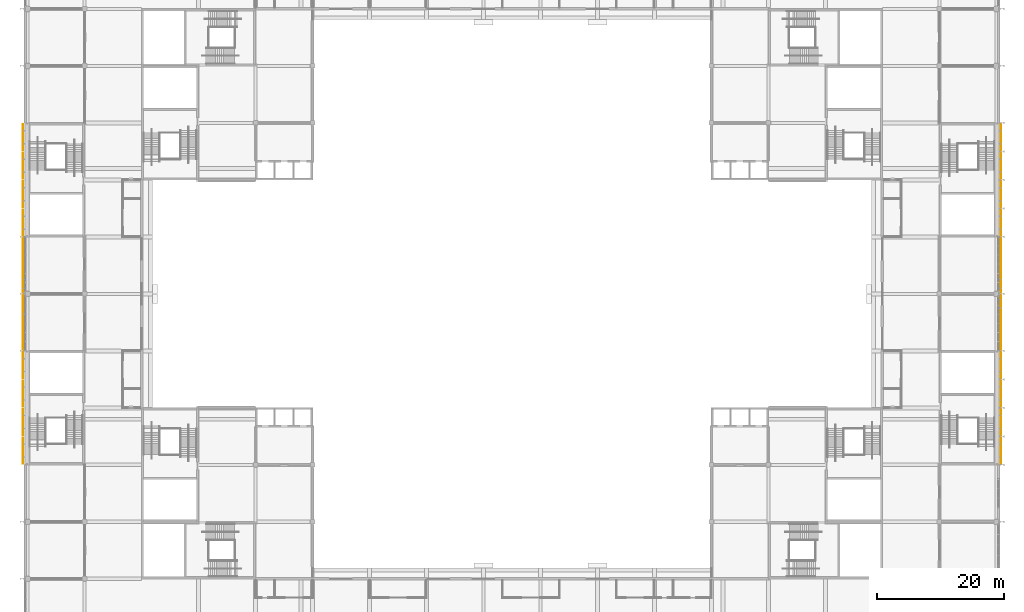
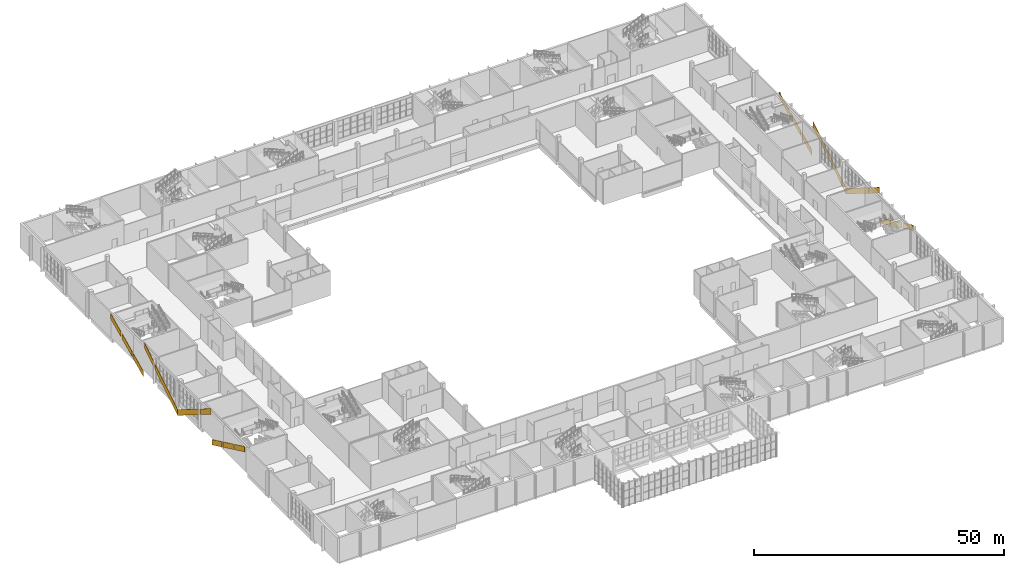
# One storey, part 89 of 89: 20 coverings.
"""IFC4 building model written with IfcOpenShell, lengths in metres."""

from ifc_helpers import new_model, si_unit, direction, frame, origin, place, context, subcontext, project, spatial, faceted_brep, material, layer, layer_set, type_object, element, save


model = new_model("IFC4")

# Units and contexts
model_context = context("Model", 3, precision=1e-05, world=origin(), true_north=direction((0.0, 1.0)))
body_context = subcontext(model_context, "Body", "Model", "MODEL_VIEW")
ifc_project = project(units=[si_unit("LENGTHUNIT", "METRE"), si_unit("AREAUNIT", "SQUARE_METRE"), si_unit("VOLUMEUNIT", "CUBIC_METRE"), si_unit("PLANEANGLEUNIT", "RADIAN"), si_unit("MASSUNIT", "GRAM", prefix="KILO")], contexts=[model_context])

# Site, building, storey
site_placement = place(None, origin())
site = spatial("IfcSite", under=ifc_project, at=site_placement, CompositionType="ELEMENT")
building_placement = place(site_placement, origin())
building = spatial("IfcBuilding", under=site, at=building_placement, Name="Silverbay Arena", CompositionType="ELEMENT")
storey_placement = place(building_placement, frame((0.0, 0.0, 22.0)))
storey = spatial("IfcBuildingStorey", under=building, at=storey_placement, Name="L03", CompositionType="ELEMENT", Elevation=22.0)

# Coverings
ifc_material = material(Name="Stainless steel grade 316, brushed", Category="steel")
ifc_layer = layer(ifc_material, 0.06005859375)
ifc_layer_set = layer_set([ifc_layer], Name="Stainless steel grade 316, brushed")
covering_type = type_object("IfcCoveringType", Name="Stainless rainscreen band panel 60", PredefinedType="CLADDING", material=ifc_layer_set)
covering_1_placement = place(storey_placement, origin())
element("IfcCovering", 1, at=covering_1_placement, inside=storey, type_object=covering_type, Name="West raked band panel lower 3", PredefinedType="CLADDING", context=body_context, shape_type="Brep", body=[
    faceted_brep([(53.320068359375, 54.199951171875, 4.929931640625), (53.320068359375, 58.300048828125, 2.982421875), (53.320068359375, 58.300048828125, 4.31103515625), (53.320068359375, 54.199951171875, 6.258544921875), (53.260009765625, 54.199951171875, 6.258544921875), (53.260009765625, 58.300048828125, 4.31103515625), (53.260009765625, 58.300048828125, 2.982421875), (53.260009765625, 54.199951171875, 4.929931640625)], [[[0, 1, 2, 3]], [[4, 5, 6, 7]], [[7, 6, 1, 0]], [[6, 5, 2, 1]], [[5, 4, 3, 2]], [[4, 7, 0, 3]]]),
])
covering_2_placement = place(storey_placement, origin())
element("IfcCovering", 2, at=covering_2_placement, inside=storey, type_object=covering_type, Name="West raked band panel lower 4", PredefinedType="CLADDING", context=body_context, shape_type="Brep", body=[
    faceted_brep([(53.320068359375, 58.699951171875, 2.79248046875), (53.320068359375, 62.800048828125, 0.844970703125), (53.320068359375, 62.800048828125, 2.173583984375), (53.320068359375, 58.699951171875, 4.12109375), (53.260009765625, 58.699951171875, 4.12109375), (53.260009765625, 62.800048828125, 2.173583984375), (53.260009765625, 62.800048828125, 0.844970703125), (53.260009765625, 58.699951171875, 2.79248046875)], [[[0, 1, 2, 3]], [[4, 5, 6, 7]], [[7, 6, 1, 0]], [[6, 5, 2, 1]], [[5, 4, 3, 2]], [[4, 7, 0, 3]]]),
])
covering_3_placement = place(storey_placement, origin())
element("IfcCovering", 3, at=covering_3_placement, inside=storey, type_object=covering_type, Name="West raked band panel lower 5", PredefinedType="CLADDING", context=body_context, shape_type="Brep", body=[
    faceted_brep([(53.320068359375, 63.199951171875, 0.655029296875), (53.320068359375, 67.300048828125, -1.29248046875), (53.320068359375, 67.300048828125, 0.035888671875), (53.320068359375, 63.199951171875, 1.9833984375), (53.260009765625, 63.199951171875, 1.9833984375), (53.260009765625, 67.300048828125, 0.035888671875), (53.260009765625, 67.300048828125, -1.29248046875), (53.260009765625, 63.199951171875, 0.655029296875)], [[[0, 1, 2, 3]], [[4, 5, 6, 7]], [[7, 6, 1, 0]], [[6, 5, 2, 1]], [[5, 4, 3, 2]], [[4, 7, 0, 3]]]),
])
covering_4_placement = place(storey_placement, origin())
element("IfcCovering", 4, at=covering_4_placement, inside=storey, type_object=covering_type, Name="West raked band panel lower 12", PredefinedType="CLADDING", context=body_context, shape_type="Brep", body=[
    faceted_brep([(53.320068359375, 94.699951171875, -1.29248046875), (53.320068359375, 98.800048828125, 0.655029296875), (53.320068359375, 98.800048828125, 1.9833984375), (53.320068359375, 94.699951171875, 0.035888671875), (53.260009765625, 94.699951171875, 0.035888671875), (53.260009765625, 98.800048828125, 1.9833984375), (53.260009765625, 98.800048828125, 0.655029296875), (53.260009765625, 94.699951171875, -1.29248046875)], [[[0, 1, 2, 3]], [[4, 5, 6, 7]], [[7, 6, 1, 0]], [[6, 5, 2, 1]], [[5, 4, 3, 2]], [[4, 7, 0, 3]]]),
])
covering_5_placement = place(storey_placement, origin())
element("IfcCovering", 5, at=covering_5_placement, inside=storey, type_object=covering_type, Name="West raked band panel lower 13", PredefinedType="CLADDING", context=body_context, shape_type="Brep", body=[
    faceted_brep([(53.320068359375, 99.199951171875, 0.844970703125), (53.320068359375, 103.300048828125, 2.79248046875), (53.320068359375, 103.300048828125, 4.12109375), (53.320068359375, 99.199951171875, 2.173583984375), (53.260009765625, 99.199951171875, 2.173583984375), (53.260009765625, 103.300048828125, 4.12109375), (53.260009765625, 103.300048828125, 2.79248046875), (53.260009765625, 99.199951171875, 0.844970703125)], [[[0, 1, 2, 3]], [[4, 5, 6, 7]], [[7, 6, 1, 0]], [[6, 5, 2, 1]], [[5, 4, 3, 2]], [[4, 7, 0, 3]]]),
])
covering_6_placement = place(storey_placement, origin())
element("IfcCovering", 6, at=covering_6_placement, inside=storey, type_object=covering_type, Name="West raked band panel lower 14", PredefinedType="CLADDING", context=body_context, shape_type="Brep", body=[
    faceted_brep([(53.320068359375, 103.699951171875, 2.982421875), (53.320068359375, 107.800048828125, 4.929931640625), (53.320068359375, 107.800048828125, 6.258544921875), (53.320068359375, 103.699951171875, 4.31103515625), (53.260009765625, 103.699951171875, 4.31103515625), (53.260009765625, 107.800048828125, 6.258544921875), (53.260009765625, 107.800048828125, 4.929931640625), (53.260009765625, 103.699951171875, 2.982421875)], [[[0, 1, 2, 3]], [[4, 5, 6, 7]], [[7, 6, 1, 0]], [[6, 5, 2, 1]], [[5, 4, 3, 2]], [[4, 7, 0, 3]]]),
])
covering_7_placement = place(storey_placement, origin())
element("IfcCovering", 7, at=covering_7_placement, inside=storey, type_object=covering_type, Name="West raked band panel upper 3", PredefinedType="CLADDING", context=body_context, shape_type="Brep", body=[
    faceted_brep([(53.320068359375, 67.699951171875, 5.91259765625), (53.320068359375, 71.800048828125, 3.35009765625), (53.320068359375, 71.800048828125, 4.76513671875), (53.320068359375, 67.699951171875, 7.32763671875), (53.260009765625, 67.699951171875, 7.32763671875), (53.260009765625, 71.800048828125, 4.76513671875), (53.260009765625, 71.800048828125, 3.35009765625), (53.260009765625, 67.699951171875, 5.91259765625)], [[[0, 1, 2, 3]], [[4, 5, 6, 7]], [[7, 6, 1, 0]], [[6, 5, 2, 1]], [[5, 4, 3, 2]], [[4, 7, 0, 3]]]),
])
covering_8_placement = place(storey_placement, origin())
element("IfcCovering", 8, at=covering_8_placement, inside=storey, type_object=covering_type, Name="West raked band panel upper 4", PredefinedType="CLADDING", context=body_context, shape_type="Brep", body=[
    faceted_brep([(53.320068359375, 72.00537109375, 3.2216796875), (53.320068359375, 80.99462890625, -2.396728515625), (53.320068359375, 80.99462890625, -0.981689453125), (53.320068359375, 72.00537109375, 4.63671875), (53.260009765625, 72.00537109375, 4.63671875), (53.260009765625, 80.99462890625, -0.981689453125), (53.260009765625, 80.99462890625, -2.396728515625), (53.260009765625, 72.00537109375, 3.2216796875)], [[[0, 1, 2, 3]], [[4, 5, 6, 7]], [[7, 6, 1, 0]], [[6, 5, 2, 1]], [[5, 4, 3, 2]], [[4, 7, 0, 3]]]),
])
covering_9_placement = place(storey_placement, origin())
element("IfcCovering", 9, at=covering_9_placement, inside=storey, type_object=covering_type, Name="West raked band panel upper 6", PredefinedType="CLADDING", context=body_context, shape_type="Brep", body=[
    faceted_brep([(53.320068359375, 81.00537109375, -2.396728515625), (53.320068359375, 89.99462890625, 3.2216796875), (53.320068359375, 89.99462890625, 4.63671875), (53.320068359375, 81.00537109375, -0.981689453125), (53.260009765625, 81.00537109375, -0.981689453125), (53.260009765625, 89.99462890625, 4.63671875), (53.260009765625, 89.99462890625, 3.2216796875), (53.260009765625, 81.00537109375, -2.396728515625)], [[[0, 1, 2, 3]], [[4, 5, 6, 7]], [[7, 6, 1, 0]], [[6, 5, 2, 1]], [[5, 4, 3, 2]], [[4, 7, 0, 3]]]),
])
covering_10_placement = place(storey_placement, origin())
element("IfcCovering", 10, at=covering_10_placement, inside=storey, type_object=covering_type, Name="West raked band panel upper 8", PredefinedType="CLADDING", context=body_context, shape_type="Brep", body=[
    faceted_brep([(53.320068359375, 90.199951171875, 3.35009765625), (53.320068359375, 94.300048828125, 5.91259765625), (53.320068359375, 94.300048828125, 7.32763671875), (53.320068359375, 90.199951171875, 4.76513671875), (53.260009765625, 90.199951171875, 4.76513671875), (53.260009765625, 94.300048828125, 7.32763671875), (53.260009765625, 94.300048828125, 5.91259765625), (53.260009765625, 90.199951171875, 3.35009765625)], [[[0, 1, 2, 3]], [[4, 5, 6, 7]], [[7, 6, 1, 0]], [[6, 5, 2, 1]], [[5, 4, 3, 2]], [[4, 7, 0, 3]]]),
])
covering_11_placement = place(storey_placement, origin())
element("IfcCovering", 11, at=covering_11_placement, inside=storey, type_object=covering_type, Name="East raked band panel lower 3", PredefinedType="CLADDING", context=body_context, shape_type="Brep", body=[
    faceted_brep([(207.679931640625, 54.199951171875, 6.258544921875), (207.679931640625, 58.300048828125, 4.31103515625), (207.679931640625, 58.300048828125, 2.982421875), (207.679931640625, 54.199951171875, 4.929931640625), (207.739990234375, 54.199951171875, 4.929931640625), (207.739990234375, 58.300048828125, 2.982421875), (207.739990234375, 58.300048828125, 4.31103515625), (207.739990234375, 54.199951171875, 6.258544921875)], [[[0, 1, 2, 3]], [[4, 5, 6, 7]], [[3, 2, 5, 4]], [[2, 1, 6, 5]], [[1, 0, 7, 6]], [[0, 3, 4, 7]]]),
])
covering_12_placement = place(storey_placement, origin())
element("IfcCovering", 12, at=covering_12_placement, inside=storey, type_object=covering_type, Name="East raked band panel lower 4", PredefinedType="CLADDING", context=body_context, shape_type="Brep", body=[
    faceted_brep([(207.679931640625, 58.699951171875, 4.12109375), (207.679931640625, 62.800048828125, 2.173583984375), (207.679931640625, 62.800048828125, 0.844970703125), (207.679931640625, 58.699951171875, 2.79248046875), (207.739990234375, 58.699951171875, 2.79248046875), (207.739990234375, 62.800048828125, 0.844970703125), (207.739990234375, 62.800048828125, 2.173583984375), (207.739990234375, 58.699951171875, 4.12109375)], [[[0, 1, 2, 3]], [[4, 5, 6, 7]], [[3, 2, 5, 4]], [[2, 1, 6, 5]], [[1, 0, 7, 6]], [[0, 3, 4, 7]]]),
])
covering_13_placement = place(storey_placement, origin())
element("IfcCovering", 13, at=covering_13_placement, inside=storey, type_object=covering_type, Name="East raked band panel lower 5", PredefinedType="CLADDING", context=body_context, shape_type="Brep", body=[
    faceted_brep([(207.679931640625, 63.199951171875, 1.9833984375), (207.679931640625, 67.300048828125, 0.035888671875), (207.679931640625, 67.300048828125, -1.29248046875), (207.679931640625, 63.199951171875, 0.655029296875), (207.739990234375, 63.199951171875, 0.655029296875), (207.739990234375, 67.300048828125, -1.29248046875), (207.739990234375, 67.300048828125, 0.035888671875), (207.739990234375, 63.199951171875, 1.9833984375)], [[[0, 1, 2, 3]], [[4, 5, 6, 7]], [[3, 2, 5, 4]], [[2, 1, 6, 5]], [[1, 0, 7, 6]], [[0, 3, 4, 7]]]),
])
covering_14_placement = place(storey_placement, origin())
element("IfcCovering", 14, at=covering_14_placement, inside=storey, type_object=covering_type, Name="East raked band panel lower 12", PredefinedType="CLADDING", context=body_context, shape_type="Brep", body=[
    faceted_brep([(207.679931640625, 94.699951171875, 0.035888671875), (207.679931640625, 98.800048828125, 1.9833984375), (207.679931640625, 98.800048828125, 0.655029296875), (207.679931640625, 94.699951171875, -1.29248046875), (207.739990234375, 94.699951171875, -1.29248046875), (207.739990234375, 98.800048828125, 0.655029296875), (207.739990234375, 98.800048828125, 1.9833984375), (207.739990234375, 94.699951171875, 0.035888671875)], [[[0, 1, 2, 3]], [[4, 5, 6, 7]], [[3, 2, 5, 4]], [[2, 1, 6, 5]], [[1, 0, 7, 6]], [[0, 3, 4, 7]]]),
])
covering_15_placement = place(storey_placement, origin())
element("IfcCovering", 15, at=covering_15_placement, inside=storey, type_object=covering_type, Name="East raked band panel lower 13", PredefinedType="CLADDING", context=body_context, shape_type="Brep", body=[
    faceted_brep([(207.679931640625, 99.199951171875, 2.173583984375), (207.679931640625, 103.300048828125, 4.12109375), (207.679931640625, 103.300048828125, 2.79248046875), (207.679931640625, 99.199951171875, 0.844970703125), (207.739990234375, 99.199951171875, 0.844970703125), (207.739990234375, 103.300048828125, 2.79248046875), (207.739990234375, 103.300048828125, 4.12109375), (207.739990234375, 99.199951171875, 2.173583984375)], [[[0, 1, 2, 3]], [[4, 5, 6, 7]], [[3, 2, 5, 4]], [[2, 1, 6, 5]], [[1, 0, 7, 6]], [[0, 3, 4, 7]]]),
])
covering_16_placement = place(storey_placement, origin())
element("IfcCovering", 16, at=covering_16_placement, inside=storey, type_object=covering_type, Name="East raked band panel lower 14", PredefinedType="CLADDING", context=body_context, shape_type="Brep", body=[
    faceted_brep([(207.679931640625, 103.699951171875, 4.31103515625), (207.679931640625, 107.800048828125, 6.258544921875), (207.679931640625, 107.800048828125, 4.929931640625), (207.679931640625, 103.699951171875, 2.982421875), (207.739990234375, 103.699951171875, 2.982421875), (207.739990234375, 107.800048828125, 4.929931640625), (207.739990234375, 107.800048828125, 6.258544921875), (207.739990234375, 103.699951171875, 4.31103515625)], [[[0, 1, 2, 3]], [[4, 5, 6, 7]], [[3, 2, 5, 4]], [[2, 1, 6, 5]], [[1, 0, 7, 6]], [[0, 3, 4, 7]]]),
])
covering_17_placement = place(storey_placement, origin())
element("IfcCovering", 17, at=covering_17_placement, inside=storey, type_object=covering_type, Name="East raked band panel upper 3", PredefinedType="CLADDING", context=body_context, shape_type="Brep", body=[
    faceted_brep([(207.679931640625, 67.699951171875, 7.32763671875), (207.679931640625, 71.800048828125, 4.76513671875), (207.679931640625, 71.800048828125, 3.35009765625), (207.679931640625, 67.699951171875, 5.91259765625), (207.739990234375, 67.699951171875, 5.91259765625), (207.739990234375, 71.800048828125, 3.35009765625), (207.739990234375, 71.800048828125, 4.76513671875), (207.739990234375, 67.699951171875, 7.32763671875)], [[[0, 1, 2, 3]], [[4, 5, 6, 7]], [[3, 2, 5, 4]], [[2, 1, 6, 5]], [[1, 0, 7, 6]], [[0, 3, 4, 7]]]),
])
covering_18_placement = place(storey_placement, origin())
element("IfcCovering", 18, at=covering_18_placement, inside=storey, type_object=covering_type, Name="East raked band panel upper 4", PredefinedType="CLADDING", context=body_context, shape_type="Brep", body=[
    faceted_brep([(207.679931640625, 72.00537109375, 4.63671875), (207.679931640625, 80.99462890625, -0.981689453125), (207.679931640625, 80.99462890625, -2.396728515625), (207.679931640625, 72.00537109375, 3.2216796875), (207.739990234375, 72.00537109375, 3.2216796875), (207.739990234375, 80.99462890625, -2.396728515625), (207.739990234375, 80.99462890625, -0.981689453125), (207.739990234375, 72.00537109375, 4.63671875)], [[[0, 1, 2, 3]], [[4, 5, 6, 7]], [[3, 2, 5, 4]], [[2, 1, 6, 5]], [[1, 0, 7, 6]], [[0, 3, 4, 7]]]),
])
covering_19_placement = place(storey_placement, origin())
element("IfcCovering", 19, at=covering_19_placement, inside=storey, type_object=covering_type, Name="East raked band panel upper 6", PredefinedType="CLADDING", context=body_context, shape_type="Brep", body=[
    faceted_brep([(207.679931640625, 81.00537109375, -0.981689453125), (207.679931640625, 89.99462890625, 4.63671875), (207.679931640625, 89.99462890625, 3.2216796875), (207.679931640625, 81.00537109375, -2.396728515625), (207.739990234375, 81.00537109375, -2.396728515625), (207.739990234375, 89.99462890625, 3.2216796875), (207.739990234375, 89.99462890625, 4.63671875), (207.739990234375, 81.00537109375, -0.981689453125)], [[[0, 1, 2, 3]], [[4, 5, 6, 7]], [[3, 2, 5, 4]], [[2, 1, 6, 5]], [[1, 0, 7, 6]], [[0, 3, 4, 7]]]),
])
covering_20_placement = place(storey_placement, origin())
element("IfcCovering", 20, at=covering_20_placement, inside=storey, type_object=covering_type, Name="East raked band panel upper 8", PredefinedType="CLADDING", context=body_context, shape_type="Brep", body=[
    faceted_brep([(207.679931640625, 90.199951171875, 4.76513671875), (207.679931640625, 94.300048828125, 7.32763671875), (207.679931640625, 94.300048828125, 5.91259765625), (207.679931640625, 90.199951171875, 3.35009765625), (207.739990234375, 90.199951171875, 3.35009765625), (207.739990234375, 94.300048828125, 5.91259765625), (207.739990234375, 94.300048828125, 7.32763671875), (207.739990234375, 90.199951171875, 4.76513671875)], [[[0, 1, 2, 3]], [[4, 5, 6, 7]], [[3, 2, 5, 4]], [[2, 1, 6, 5]], [[1, 0, 7, 6]], [[0, 3, 4, 7]]]),
])

save(model, "model.ifc")
